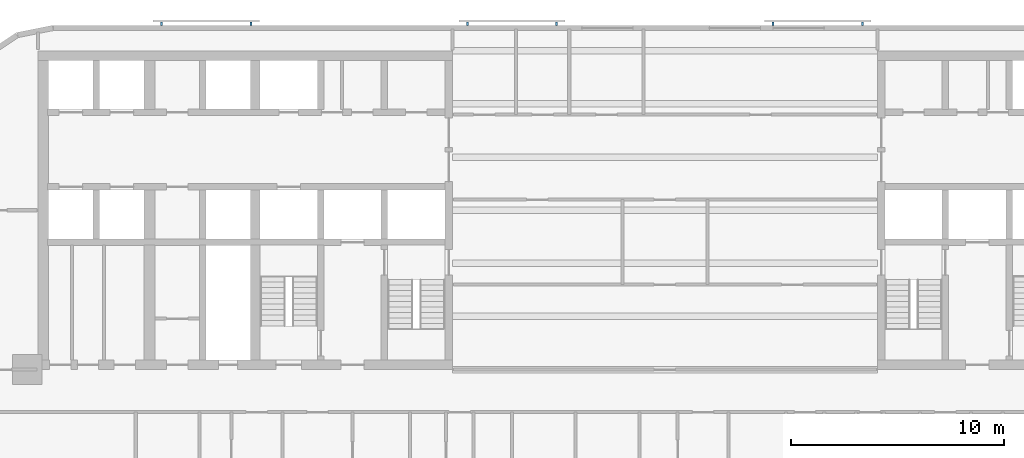
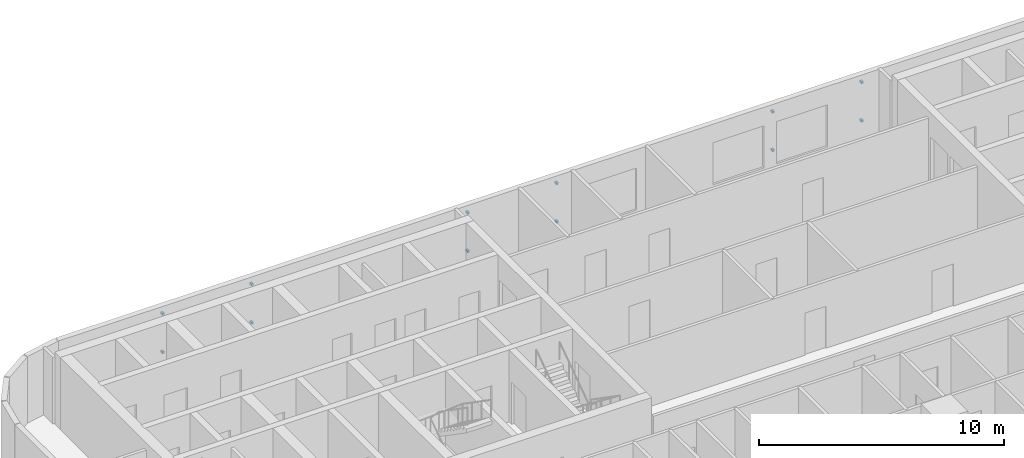
# One storey, part 11 of 15: 12 discrete accessories.
"""IFC4 building model written with IfcOpenShell, lengths in metres."""

from ifc_helpers import new_model, si_unit, direction, frame, origin, origin_2d, place, context, subcontext, project, spatial, rectangle, extrude, material, type_object, element, save


model = new_model("IFC4")

# Units and contexts
model_context = context("Model", 3, precision=1e-05, world=origin(), true_north=direction((0.0, 1.0)))
body_context = subcontext(model_context, "Body", "Model", "MODEL_VIEW")
ifc_project = project(units=[si_unit("LENGTHUNIT", "METRE"), si_unit("AREAUNIT", "SQUARE_METRE"), si_unit("VOLUMEUNIT", "CUBIC_METRE"), si_unit("PLANEANGLEUNIT", "RADIAN"), si_unit("MASSUNIT", "GRAM", prefix="KILO")], contexts=[model_context])

# Site, building, storey
site_placement = place(None, origin())
site = spatial("IfcSite", under=ifc_project, at=site_placement, CompositionType="ELEMENT")
building_placement = place(site_placement, origin())
building = spatial("IfcBuilding", under=site, at=building_placement, Name="Torana Hotel and Residences", CompositionType="ELEMENT")
storey_placement = place(building_placement, frame((0.0, 0.0, 92.39990234375)))
storey = spatial("IfcBuildingStorey", under=building, at=storey_placement, Name="L23", CompositionType="ELEMENT", Elevation=92.39990234375)

# Discrete accessories
ifc_material = material(Name="Steel S355", Category="steel")
discrete_accessory_type = type_object("IfcDiscreteAccessoryType", Name="SCREEN BRACKET 100", PredefinedType="BRACKET", material=ifc_material)
for number, where, z_axis, x_axis, name in (
    (1, (9.293701171875, 1.27490234375, 0.75), (0.0, 0.0, 1.0), (-1.0, 0.0, 0.0), "Screen bracket L23"),
    (2, (9.293701171875, 1.27490234375, 2.670166015625), (0.0, 0.0, 1.0), (-1.0, 0.0, 0.0), "Screen bracket L23"),
    (3, (5.09375, 1.27490234375, 0.75), (0.0, 0.0, 1.0), (-1.0, 0.0, 0.0), "Screen bracket L23"),
    (4, (5.09375, 1.27490234375, 2.670166015625), (0.0, 0.0, 1.0), (-1.0, 0.0, 0.0), "Screen bracket L23"),
    (5, (-5.09375, 1.27490234375, 0.75), (0.0, 0.0, 1.0), (-1.0, 0.0, 0.0), "Screen bracket L23"),
    (6, (-5.09375, 1.27490234375, 2.670166015625), (0.0, 0.0, 1.0), (-1.0, 0.0, 0.0), "Screen bracket L23"),
    (7, (-9.293701171875, 1.27490234375, 0.75), (0.0, 0.0, 1.0), (-1.0, 0.0, 0.0), "Screen bracket L23"),
    (8, (-9.293701171875, 1.27490234375, 2.670166015625), (0.0, 0.0, 1.0), (-1.0, 0.0, 0.0), "Screen bracket L23"),
    (9, (-19.4814453125, 1.27490234375, 0.75), (0.0, 0.0, 1.0), (-1.0, 0.0, 0.0), "Screen bracket L23"),
    (10, (-19.4814453125, 1.27490234375, 2.670166015625), (0.0, 0.0, 1.0), (-1.0, 0.0, 0.0), "Screen bracket L23"),
    (11, (-23.681396484375, 1.27490234375, 0.75), (0.0, 0.0, 1.0), (-1.0, 0.0, 0.0), "Screen bracket L23"),
    (12, (-23.681396484375, 1.27490234375, 2.670166015625), (0.0, 0.0, 1.0), (-1.0, 0.0, 0.0), "Screen bracket L23"),
):
    element("IfcDiscreteAccessory", number, at=place(storey_placement, frame(where, z_axis=z_axis, x_axis=x_axis)), inside=storey, type_object=discrete_accessory_type, Name=name, PredefinedType="BRACKET", context=body_context, shape_type="SweptSolid", body=[
        extrude(rectangle(XDim=0.10009765625, YDim=0.14990234375, at=origin_2d()), origin(), (0.0, 0.0, 1.0), 0.10009765625),
    ])

save(model, "model.ifc")
